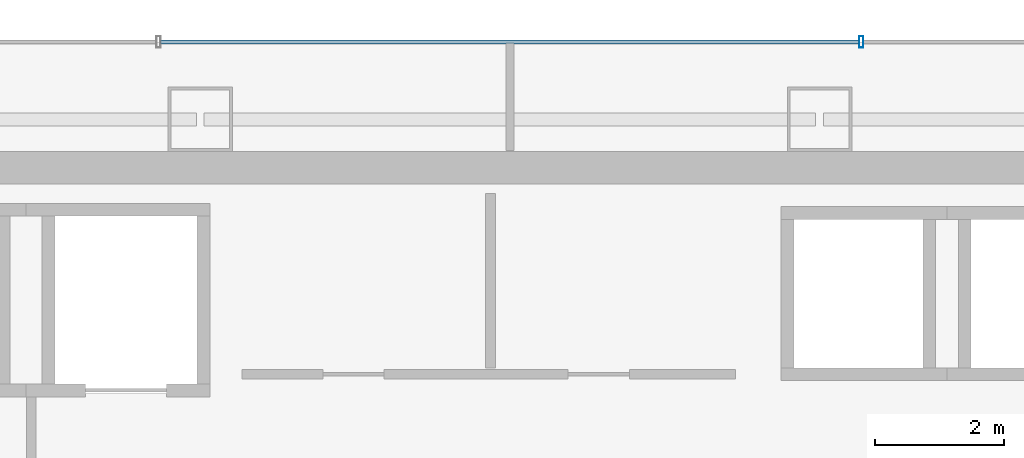
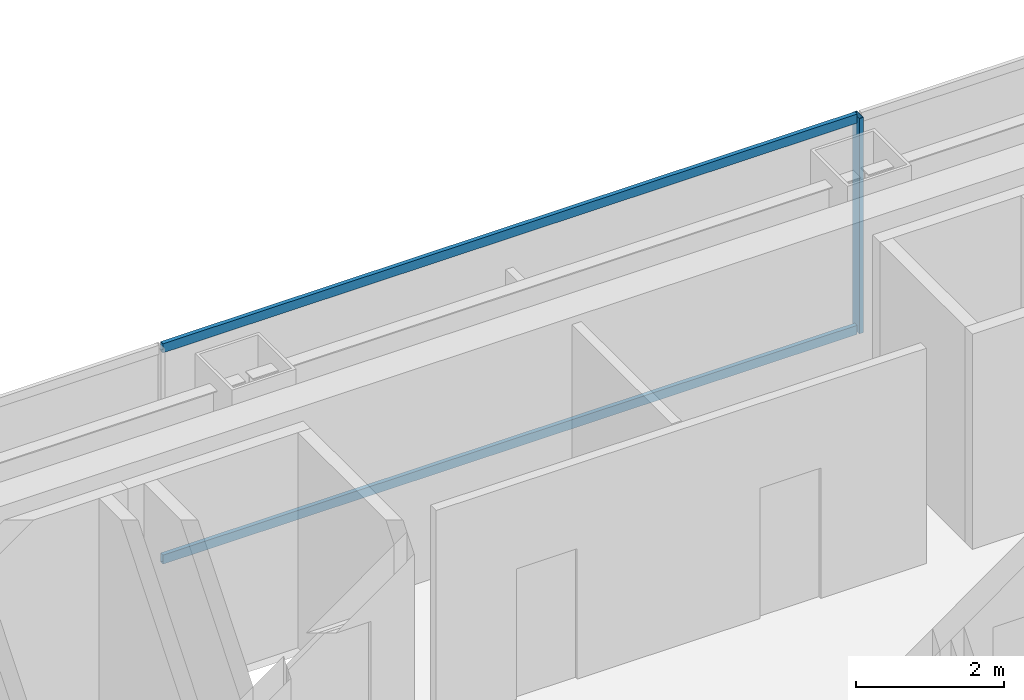
# One storey, part 24 of 36: 3 members, 1 element without a shape of its own.
"""IFC4 building model written with IfcOpenShell, lengths in metres."""

from ifc_helpers import new_model, si_unit, direction, frame, origin, origin_2d, place, context, subcontext, project, spatial, hollow_rectangle, extrude, material, material_profile, profile_set, type_object, element, aggregate, save


model = new_model("IFC4")

# Units and contexts
model_context = context("Model", 3, precision=1e-05, world=origin(), true_north=direction((0.0, 1.0)))
body_context = subcontext(model_context, "Body", "Model", "MODEL_VIEW")
ifc_project = project(units=[si_unit("LENGTHUNIT", "METRE"), si_unit("AREAUNIT", "SQUARE_METRE"), si_unit("VOLUMEUNIT", "CUBIC_METRE"), si_unit("PLANEANGLEUNIT", "RADIAN"), si_unit("MASSUNIT", "GRAM", prefix="KILO")], contexts=[model_context])

# Site, building, storey
site_placement = place(None, origin())
site = spatial("IfcSite", under=ifc_project, at=site_placement, CompositionType="ELEMENT")
building_placement = place(site_placement, origin())
building = spatial("IfcBuilding", under=site, at=building_placement, Name="Saevonmaru Cultural Tower", CompositionType="ELEMENT")
storey_placement = place(building_placement, frame((0.0, 0.0, 148.60009765625)))
storey = spatial("IfcBuildingStorey", under=building, at=storey_placement, Name="L32", CompositionType="ELEMENT", Elevation=148.60009765625)

# Curtain wall, members
ifc_material = material(Name="Satin Bronze Anodised Aluminium", Category="aluminium")
curtain_wall_type = type_object("IfcCurtainWallType", Name="CW-TYP-A", PredefinedType="NOTDEFINED", material=ifc_material)
curtain_wall_placement = place(storey_placement, origin())
curtain_wall = element("IfcCurtainWall", 1, at=curtain_wall_placement, inside=storey, type_object=curtain_wall_type, Name="L32 North Spine Unitised Curtain Wall E10B", PredefinedType="NOTDEFINED")
ifc_material_profile_1 = material_profile(ifc_material, hollow_rectangle(XDim=0.06494140625, YDim=0.179931640625, WallThickness=0.00390625, at=origin_2d()), Name="ALU-MULL-180x65x4")
ifc_profile_set_1 = profile_set([ifc_material_profile_1], Name="Satin Bronze Anodised Aluminium")
member_type_1 = type_object("IfcMemberType", Name="ML-CW-180x65", PredefinedType="MULLION", material=ifc_profile_set_1)
member_1_placement = place(storey_placement, frame((35.44677734375, 56.0, 0.0), z_axis=(0.0, 0.0, 1.0), x_axis=(-1.0, 0.0, 0.0)))
member_1 = element("IfcMember", 2, at=member_1_placement, type_object=member_type_1, Name="CW-TW-L32-E10B mullion 2", PredefinedType="MULLION", context=body_context, shape_type="SweptSolid", body=[
    extrude(hollow_rectangle(XDim=0.06494140625, YDim=0.179931640625, WallThickness=0.00390625, at=origin_2d()), origin(), (0.0, 0.0, 1.0), 3.5498046875),
])
ifc_material_profile_2 = material_profile(ifc_material, hollow_rectangle(XDim=0.06494140625, YDim=0.14990234375, WallThickness=0.00390625, at=origin_2d()), Name="ALU-TRAN-150x65x4")
ifc_profile_set_2 = profile_set([ifc_material_profile_2], Name="Satin Bronze Anodised Aluminium")
member_type_2 = type_object("IfcMemberType", Name="TR-CW-150x65", PredefinedType="USERDEFINED", material=ifc_profile_set_2)
member_2_placement = place(storey_placement, frame((35.4140625, 56.0, 0.032470703125), z_axis=(-1.0, 0.0, 0.0), x_axis=(0.0, -1.0, 0.0)))
member_2 = element("IfcMember", 3, at=member_2_placement, type_object=member_type_2, Name="CW-TW-L32-E10B transom 2.1", ObjectType="TRANSOM", PredefinedType="USERDEFINED", context=body_context, shape_type="SweptSolid", body=[
    extrude(hollow_rectangle(XDim=0.06494140625, YDim=0.14990234375, WallThickness=0.00390625, at=origin_2d()), origin(), (0.0, 0.0, 1.0), 10.828125),
])
member_3_placement = place(storey_placement, frame((35.4140625, 56.0, 3.517333984375), z_axis=(-1.0, 0.0, 0.0), x_axis=(0.0, -1.0, 0.0)))
member_3 = element("IfcMember", 4, at=member_3_placement, type_object=member_type_2, Name="CW-TW-L32-E10B transom 2.2", ObjectType="TRANSOM", PredefinedType="USERDEFINED", context=body_context, shape_type="SweptSolid", body=[
    extrude(hollow_rectangle(XDim=0.06494140625, YDim=0.14990234375, WallThickness=0.00390625, at=origin_2d()), origin(), (0.0, 0.0, 1.0), 10.828125),
])
aggregate(curtain_wall, [member_1, member_2, member_3])

save(model, "model.ifc")
